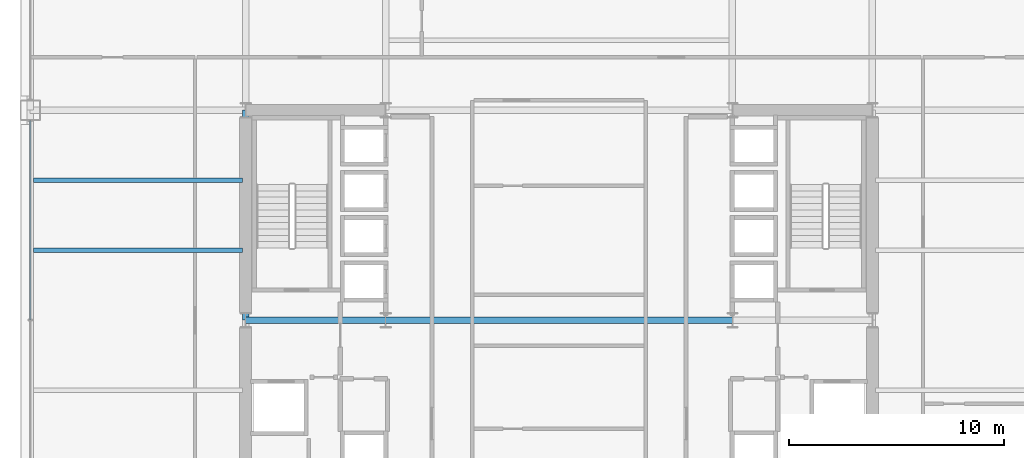
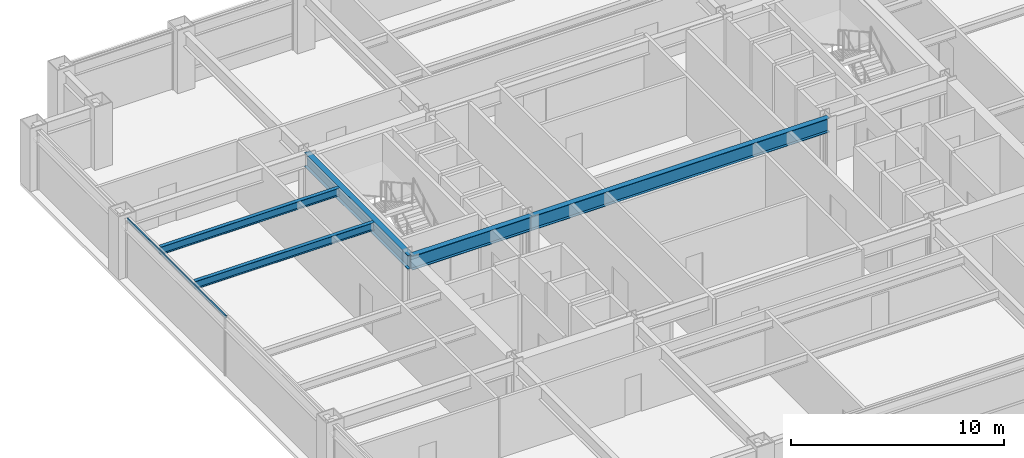
# One storey, part 8 of 31: 5 beams, 1 member, 1 element without a shape of its own.
"""IFC4 building model written with IfcOpenShell, lengths in metres."""

from ifc_helpers import new_model, si_unit, direction, frame, origin, origin_2d, place, context, subcontext, project, spatial, hollow_rectangle, i_section, extrude, material, layer, layer_set, material_profile, profile_set, type_object, element, aggregate, save


model = new_model("IFC4")

# Units and contexts
model_context = context("Model", 3, precision=1e-05, world=origin(), true_north=direction((0.0, 1.0)))
body_context = subcontext(model_context, "Body", "Model", "MODEL_VIEW")
ifc_project = project(units=[si_unit("LENGTHUNIT", "METRE"), si_unit("AREAUNIT", "SQUARE_METRE"), si_unit("VOLUMEUNIT", "CUBIC_METRE"), si_unit("PLANEANGLEUNIT", "RADIAN"), si_unit("MASSUNIT", "GRAM", prefix="KILO")], contexts=[model_context])

# Site, building, storey
site_placement = place(None, origin())
site = spatial("IfcSite", under=ifc_project, at=site_placement, CompositionType="ELEMENT")
building_placement = place(site_placement, origin())
building = spatial("IfcBuilding", under=site, at=building_placement, Name="Brelmoor Portico Tower", CompositionType="ELEMENT")
storey_placement = place(building_placement, frame((0.0, 0.0, 31.199951171875)))
storey = spatial("IfcBuildingStorey", under=building, at=storey_placement, Name="L07", CompositionType="ELEMENT", Elevation=31.199951171875)

# Beams
ifc_material_1 = material(Name="Steel Q355B", Category="steel")
ifc_material_profile_1 = material_profile(ifc_material_1, i_section(OverallWidth=0.199951171875, OverallDepth=0.449951171875, WebThickness=0.009033203125, FlangeThickness=0.013916015625, at=origin_2d()), Name="HN 450x200x9x14")
ifc_profile_set_1 = profile_set([ifc_material_profile_1], Name="Steel Q355B")
beam_type_1 = type_object("IfcBeamType", Name="BM-JS-450", PredefinedType="JOIST", material=ifc_profile_set_1)
for number, where, z_axis, x_axis, name in (
    (1, (-24.39990234375, 3.25, 3.175048828125), (1.0, 0.0, 0.0), (0.0, 1.0, 0.0), "L07 Secondary Wing Joist JS-W07"),
    (2, (-24.39990234375, 6.5, 3.175048828125), (1.0, 0.0, 0.0), (0.0, 1.0, 0.0), "L07 Secondary Wing Joist JS-W08"),
):
    element("IfcBeam", number, at=place(storey_placement, frame(where, z_axis=z_axis, x_axis=x_axis)), inside=storey, type_object=beam_type_1, Name=name, PredefinedType="JOIST", context=body_context, shape_type="SweptSolid", body=[
        extrude(i_section(OverallWidth=0.199951171875, OverallDepth=0.449951171875, WebThickness=0.009033203125, FlangeThickness=0.013916015625, at=origin_2d()), origin(), (0.0, 0.0, 1.0), 9.699951171875),
    ])
ifc_material_profile_2 = material_profile(ifc_material_1, i_section(OverallWidth=0.300048828125, OverallDepth=0.800048828125, WebThickness=0.013916015625, FlangeThickness=0.02587890625, at=origin_2d()), Name="HN 800x300x14x26")
ifc_profile_set_2 = profile_set([ifc_material_profile_2], Name="Steel Q355B")
beam_type_2 = type_object("IfcBeamType", Name="BM-PG-800", PredefinedType="BEAM", material=ifc_profile_set_2)
beam_1_placement = place(storey_placement, frame((-14.550048828125, 0.0, 3.0), z_axis=(0.0, 1.0, 0.0), x_axis=(-1.0, 0.0, 0.0)))
element("IfcBeam", 3, at=beam_1_placement, inside=storey, type_object=beam_type_2, Name="L07 Primary Floor Girder PG-05", PredefinedType="BEAM", context=body_context, shape_type="SweptSolid", body=[
    extrude(i_section(OverallWidth=0.300048828125, OverallDepth=0.800048828125, WebThickness=0.013916015625, FlangeThickness=0.02587890625, at=origin_2d()), origin(), (0.0, 0.0, 1.0), 9.75),
])
beam_2_placement = place(storey_placement, frame((-14.550048828125, 0.0, 3.0), z_axis=(1.0, 0.0, 0.0), x_axis=(0.0, 1.0, 0.0)))
element("IfcBeam", 4, at=beam_2_placement, inside=storey, type_object=beam_type_2, Name="L07 Primary Floor Girder PG-24", PredefinedType="BEAM", context=body_context, shape_type="SweptSolid", body=[
    extrude(i_section(OverallWidth=0.300048828125, OverallDepth=0.800048828125, WebThickness=0.013916015625, FlangeThickness=0.02587890625, at=origin_2d()), origin(), (0.0, 0.0, 1.0), 6.5),
])
beam_3_placement = place(storey_placement, frame((-8.050048828125, 0.0, 3.0), z_axis=(1.0, 0.0, 0.0), x_axis=(0.0, 1.0, 0.0)))
element("IfcBeam", 5, at=beam_3_placement, inside=storey, type_object=beam_type_2, Name="L07 Primary Floor Girder PG-25", PredefinedType="BEAM", context=body_context, shape_type="SweptSolid", body=[
    extrude(i_section(OverallWidth=0.300048828125, OverallDepth=0.800048828125, WebThickness=0.013916015625, FlangeThickness=0.02587890625, at=origin_2d()), origin(), (0.0, 0.0, 1.0), 16.10009765625),
])

# Curtain wall, member
ifc_material_2 = material(Name="Anodised Aluminium Alloy 6063-T6", Category="aluminium")
ifc_layer = layer(ifc_material_2, 0.179931640625)
ifc_layer_set = layer_set([ifc_layer], Name="Anodised Aluminium Alloy 6063-T6")
curtain_wall_type = type_object("IfcCurtainWallType", Name="CW-TOWER-Z1-XB", PredefinedType="NOTDEFINED", material=ifc_layer_set)
curtain_wall_placement = place(storey_placement, origin())
curtain_wall = element("IfcCurtainWall", 6, at=curtain_wall_placement, inside=storey, type_object=curtain_wall_type, Name="L07 Curtain Wall CW-L07-03-2", PredefinedType="NOTDEFINED")
ifc_material_profile_3 = material_profile(ifc_material_2, hollow_rectangle(XDim=0.06494140625, YDim=0.139892578125, WallThickness=0.00390625, at=origin_2d()), Name="ALU TRANSOM 65x140")
ifc_profile_set_3 = profile_set([ifc_material_profile_3], Name="Anodised Aluminium Alloy 6063-T6")
member_type = type_object("IfcMemberType", Name="MB-CW-TRAN-140", PredefinedType="USERDEFINED", material=ifc_profile_set_3)
member_placement = place(storey_placement, frame((-24.550048828125, 0.0, 3.330078125), z_axis=(0.0, 1.0, 0.0), x_axis=(-1.0, 0.0, 0.0)))
member = element("IfcMember", 7, at=member_placement, type_object=member_type, Name="CW-L07-03-2 Transom 1-01", ObjectType="TRANSOM", PredefinedType="USERDEFINED", context=body_context, shape_type="SweptSolid", body=[
    extrude(hollow_rectangle(XDim=0.06494140625, YDim=0.139892578125, WallThickness=0.00390625, at=origin_2d()), origin(), (0.0, 0.0, 1.0), 9.264892578125),
])
aggregate(curtain_wall, [member])

save(model, "model.ifc")
